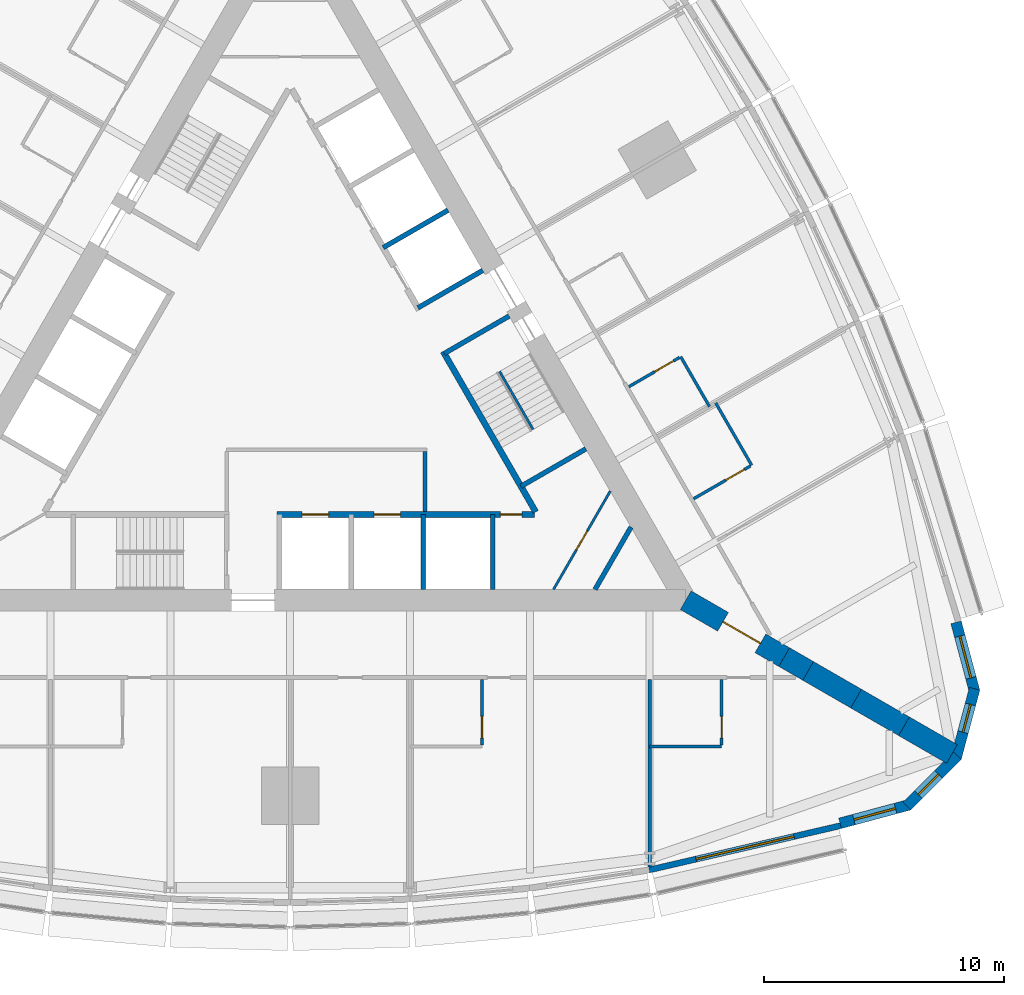
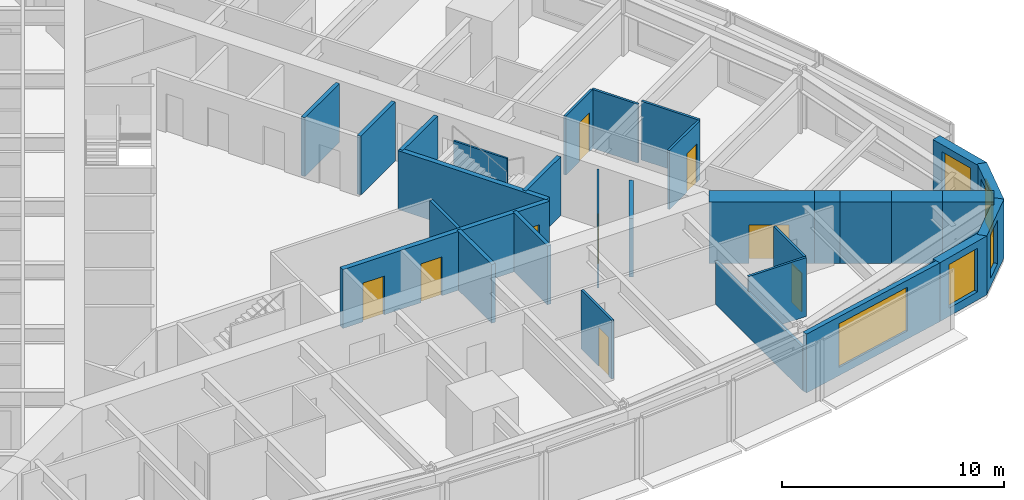
# One storey, part 10 of 14: 30 walls, 9 doors, 5 windows, 14 openings.
"""IFC4 building model written with IfcOpenShell, lengths in metres."""

from ifc_helpers import new_model, si_unit, direction, frame, frame_2d, origin, place, context, subcontext, project, spatial, polyline, rectangle, outline, extrude, material, layer, layer_set, type_object, element, fill, save


model = new_model("IFC4")

# Units and contexts
model_context = context("Model", 3, precision=1e-05, world=origin(), true_north=direction((0.0, 1.0)))
body_context = subcontext(model_context, "Body", "Model", "MODEL_VIEW")
ifc_project = project(units=[si_unit("LENGTHUNIT", "METRE"), si_unit("AREAUNIT", "SQUARE_METRE"), si_unit("VOLUMEUNIT", "CUBIC_METRE"), si_unit("PLANEANGLEUNIT", "RADIAN"), si_unit("MASSUNIT", "GRAM", prefix="KILO")], contexts=[model_context])

# Site, building, storey
site_placement = place(None, origin())
site = spatial("IfcSite", under=ifc_project, at=site_placement, CompositionType="ELEMENT")
building_placement = place(site_placement, origin())
building = spatial("IfcBuilding", under=site, at=building_placement, Name="Trikona Tower", CompositionType="ELEMENT")
storey_placement = place(building_placement, frame((0.0, 0.0, 52.300048828125)))
storey = spatial("IfcBuildingStorey", under=building, at=storey_placement, Name="L12", CompositionType="ELEMENT", Elevation=52.300048828125)

# Wall, opening, door
ifc_material_1 = material(Name="Metal stud and cement board", Category="gypsum")
ifc_layer_1 = layer(ifc_material_1, 0.1201171875)
ifc_layer_set_1 = layer_set([ifc_layer_1], Name="Bathroom wall 120")
wall_type_1 = type_object("IfcWallType", Name="Bathroom wall 120", PredefinedType="PLUMBINGWALL", material=ifc_layer_set_1)
wall_1_placement = place(storey_placement, frame((8.0, -12.826416015625, 0.0), z_axis=(0.0, 0.0, 1.0), x_axis=(0.0, -1.0, 0.0)))
wall_1 = element("IfcWall", 1, at=wall_1_placement, inside=storey, type_object=wall_type_1, Name="Bathroom wall 1203", PredefinedType="PLUMBINGWALL", context=body_context, shape_type="SweptSolid", body=[
    extrude(rectangle(XDim=2.739990234375, YDim=0.1201171875, at=frame_2d((1.3701171875, 0.0))), origin(), (0.0, 0.0, 1.0), 3.23486328125),
])
opening_1_placement = place(wall_1_placement, frame((1.550048828125, 0.0, 0.0)))
opening_1 = element("IfcOpeningElement", 2, at=opening_1_placement, cuts=wall_1, Name="Opening D2", PredefinedType="OPENING", context=body_context, shape_type="SweptSolid", body=[
    extrude(rectangle(XDim=0.89990234375, YDim=2.1298828125, at=frame_2d((0.449951171875, 1.06494140625))), frame((0.0, 0.070068359375, 0.0), z_axis=(0.0, -1.0, 0.0), x_axis=(1.0, 0.0, 0.0)), (0.0, 0.0, 1.0), 0.14013671875),
])
ifc_material_2 = material(Name="Steel door frame with solid-core timber leaf", Category="steel")
door_type_1 = type_object("IfcDoorType", Name="Bathroom door 900x2130", OperationType="SLIDING_TO_LEFT", PredefinedType="DOOR", material=ifc_material_2)
door_1_placement = place(opening_1_placement, origin())
door_1 = element("IfcDoor", 3, at=door_1_placement, inside=storey, type_object=door_type_1, Name="Bathroom door 1203", OperationType="SLIDING_TO_LEFT", OverallHeight=2.1298828125, OverallWidth=0.89990234375, PredefinedType="DOOR", context=body_context, shape_type="SweptSolid", body=[
    extrude(rectangle(XDim=0.89990234375, YDim=2.1298828125, at=frame_2d((0.449951171875, 1.06494140625))), frame((0.0, 0.02490234375, 0.0), z_axis=(0.0, -1.0, 0.0), x_axis=(1.0, 0.0, 0.0)), (0.0, 0.0, 1.0), 0.050048828125),
])
fill(opening_1, door_1)

# Wall
wall_2_placement = place(storey_placement, frame((15.0, -15.626220703125, 0.0), z_axis=(0.0, 0.0, 1.0), x_axis=(1.0, 0.0, 0.0)))
element("IfcWall", 4, at=wall_2_placement, inside=storey, type_object=wall_type_1, Name="Bathroom wall 1204", PredefinedType="PLUMBINGWALL", context=body_context, shape_type="SweptSolid", body=[
    extrude(rectangle(XDim=3.0, YDim=0.1201171875, at=frame_2d((1.5, 0.0))), origin(), (0.0, 0.0, 1.0), 3.23486328125),
])

# Wall, opening, door
wall_3_placement = place(storey_placement, frame((18.0, -12.826416015625, 0.0), z_axis=(0.0, 0.0, 1.0), x_axis=(0.0, -1.0, 0.0)))
wall_3 = element("IfcWall", 5, at=wall_3_placement, inside=storey, type_object=wall_type_1, Name="Bathroom wall 1204", PredefinedType="PLUMBINGWALL", context=body_context, shape_type="SweptSolid", body=[
    extrude(rectangle(XDim=2.739990234375, YDim=0.1201171875, at=frame_2d((1.3701171875, 0.0))), origin(), (0.0, 0.0, 1.0), 3.23486328125),
])
opening_2_placement = place(wall_3_placement, frame((1.550048828125, 0.0, 0.0)))
opening_2 = element("IfcOpeningElement", 6, at=opening_2_placement, cuts=wall_3, Name="Opening D2", PredefinedType="OPENING", context=body_context, shape_type="SweptSolid", body=[
    extrude(rectangle(XDim=0.89990234375, YDim=2.1298828125, at=frame_2d((0.449951171875, 1.06494140625))), frame((0.0, 0.070068359375, 0.0), z_axis=(0.0, -1.0, 0.0), x_axis=(1.0, 0.0, 0.0)), (0.0, 0.0, 1.0), 0.14013671875),
])
door_2_placement = place(opening_2_placement, origin())
door_2 = element("IfcDoor", 7, at=door_2_placement, inside=storey, type_object=door_type_1, Name="Bathroom door 1204", OperationType="SLIDING_TO_LEFT", OverallHeight=2.1298828125, OverallWidth=0.89990234375, PredefinedType="DOOR", context=body_context, shape_type="SweptSolid", body=[
    extrude(rectangle(XDim=0.89990234375, YDim=2.1298828125, at=frame_2d((0.449951171875, 1.06494140625))), frame((0.0, 0.02490234375, 0.0), z_axis=(0.0, -1.0, 0.0), x_axis=(1.0, 0.0, 0.0)), (0.0, 0.0, 1.0), 0.050048828125),
])
fill(opening_2, door_2)

# Wall
wall_4_placement = place(storey_placement, frame((19.25341796875, -3.895263671875, 0.0), z_axis=(0.0, 0.0, 1.0), x_axis=(-0.499990139034, 0.866031096941, 0.0)))
element("IfcWall", 8, at=wall_4_placement, inside=storey, type_object=wall_type_1, Name="Bathroom wall 1205.1", PredefinedType="PLUMBINGWALL", context=body_context, shape_type="SweptSolid", body=[
    extrude(rectangle(XDim=3.0, YDim=0.1201171875, at=frame_2d((1.5, 0.0))), origin(), (0.0, 0.0, 1.0), 3.23486328125),
])

# Wall, opening, door
wall_5_placement = place(storey_placement, frame((16.82861328125, -5.295166015625, 0.0), z_axis=(0.0, 0.0, 1.0), x_axis=(0.866035715982, 0.499982138324, 0.0)))
wall_5 = element("IfcWall", 9, at=wall_5_placement, inside=storey, type_object=wall_type_1, Name="Bathroom wall 1205.1", PredefinedType="PLUMBINGWALL", context=body_context, shape_type="SweptSolid", body=[
    extrude(rectangle(XDim=2.73974609375, YDim=0.1201171875, at=frame_2d((1.369873046875, 0.0))), origin(), (0.0, 0.0, 1.0), 3.23486328125),
])
opening_3_placement = place(wall_5_placement, frame((1.550048828125, 0.0, 0.0)))
opening_3 = element("IfcOpeningElement", 10, at=opening_3_placement, cuts=wall_5, Name="Opening D2", PredefinedType="OPENING", context=body_context, shape_type="SweptSolid", body=[
    extrude(rectangle(XDim=0.89990234375, YDim=2.1298828125, at=frame_2d((0.449951171875, 1.06494140625))), frame((0.0, 0.070068359375, 0.0), z_axis=(0.0, -1.0, 0.0), x_axis=(1.0, 0.0, 0.0)), (0.0, 0.0, 1.0), 0.14013671875),
])
door_3_placement = place(opening_3_placement, origin())
door_3 = element("IfcDoor", 11, at=door_3_placement, inside=storey, type_object=door_type_1, Name="Bathroom door 1205.1", OperationType="SLIDING_TO_LEFT", OverallHeight=2.1298828125, OverallWidth=0.89990234375, PredefinedType="DOOR", context=body_context, shape_type="SweptSolid", body=[
    extrude(rectangle(XDim=0.89990234375, YDim=2.1298828125, at=frame_2d((0.449951171875, 1.06494140625))), frame((0.0, 0.02490234375, 0.0), z_axis=(0.0, -1.0, 0.0), x_axis=(1.0, 0.0, 0.0)), (0.0, 0.0, 1.0), 0.050048828125),
])
fill(opening_3, door_3)

# Wall
wall_6_placement = place(storey_placement, frame((17.493408203125, -1.447021484375, 0.0), z_axis=(0.0, 0.0, 1.0), x_axis=(-0.500001309137, 0.866024647952, 0.0)))
element("IfcWall", 12, at=wall_6_placement, inside=storey, type_object=wall_type_1, Name="Bathroom wall 1206", PredefinedType="PLUMBINGWALL", context=body_context, shape_type="SweptSolid", body=[
    extrude(rectangle(XDim=2.39990234375, YDim=0.1201171875, at=frame_2d((1.199951171875, 0.0))), origin(), (0.0, 0.0, 1.0), 3.23486328125),
])

# Wall, opening, door
wall_7_placement = place(storey_placement, frame((14.12841796875, -0.61865234375, 0.0), z_axis=(0.0, 0.0, 1.0), x_axis=(0.866048967903, 0.499959183527, 0.0)))
wall_7 = element("IfcWall", 13, at=wall_7_placement, inside=storey, type_object=wall_type_1, Name="Bathroom wall 1206", PredefinedType="PLUMBINGWALL", context=body_context, shape_type="SweptSolid", body=[
    extrude(rectangle(XDim=2.440185546875, YDim=0.1201171875, at=frame_2d((1.22021484375, 0.0))), origin(), (0.0, 0.0, 1.0), 3.23486328125),
])
opening_4_placement = place(wall_7_placement, frame((1.25, 0.0, 0.0)))
opening_4 = element("IfcOpeningElement", 14, at=opening_4_placement, cuts=wall_7, Name="Opening D2", PredefinedType="OPENING", context=body_context, shape_type="SweptSolid", body=[
    extrude(rectangle(XDim=0.89990234375, YDim=2.1298828125, at=frame_2d((0.449951171875, 1.06494140625))), frame((0.0, 0.070068359375, 0.0), z_axis=(0.0, -1.0, 0.0), x_axis=(1.0, 0.0, 0.0)), (0.0, 0.0, 1.0), 0.14013671875),
])
door_4_placement = place(opening_4_placement, origin())
door_4 = element("IfcDoor", 15, at=door_4_placement, inside=storey, type_object=door_type_1, Name="Bathroom door 1206", OperationType="SLIDING_TO_LEFT", OverallHeight=2.1298828125, OverallWidth=0.89990234375, PredefinedType="DOOR", context=body_context, shape_type="SweptSolid", body=[
    extrude(rectangle(XDim=0.89990234375, YDim=2.1298828125, at=frame_2d((0.449951171875, 1.06494140625))), frame((0.0, 0.02490234375, 0.0), z_axis=(0.0, -1.0, 0.0), x_axis=(1.0, 0.0, 0.0)), (0.0, 0.0, 1.0), 0.050048828125),
])
fill(opening_4, door_4)

# Wall, opening, window
ifc_material_3 = material(Name="Brick-faced precast concrete", Category="masonry")
ifc_layer_2 = layer(ifc_material_3, 0.449951171875)
ifc_layer_set_2 = layer_set([ifc_layer_2], Name="Brick-faced corner wall 450")
wall_type_2 = type_object("IfcWallType", Name="Brick-faced corner wall 450", PredefinedType="SOLIDWALL", material=ifc_layer_set_2)
wall_8_placement = place(storey_placement, frame((22.94189453125, -18.835205078125, 0.0), z_axis=(0.0, 0.0, 1.0), x_axis=(0.965930548995, 0.258801419081, 0.0)))
wall_8 = element("IfcWall", 16, at=wall_8_placement, inside=storey, type_object=wall_type_2, Name="External wall L12-08", PredefinedType="SOLIDWALL", context=body_context, shape_type="SweptSolid", body=[
    extrude(rectangle(XDim=2.988525390625, YDim=0.449951171875, at=frame_2d((1.494140625, 0.0))), origin(), (0.0, 0.0, 1.0), 3.23486328125),
])
opening_5_placement = place(wall_8_placement, frame((0.59423828125, 0.0, 0.449951171875)))
opening_5 = element("IfcOpeningElement", 17, at=opening_5_placement, cuts=wall_8, Name="Opening W1824", PredefinedType="OPENING", context=body_context, shape_type="SweptSolid", body=[
    extrude(rectangle(XDim=1.800048828125, YDim=2.39990234375, at=frame_2d((0.89990234375, 1.199951171875))), frame((0.0, 0.23486328125, 0.0), z_axis=(0.0, -1.0, 0.0), x_axis=(1.0, 0.0, 0.0)), (0.0, 0.0, 1.0), 0.469970703125),
])
ifc_material_4 = material(Name="Aluminium-framed double glazing", Category="aluminium")
window_type_1 = type_object("IfcWindowType", Name="Window 1800x2400", PartitioningType="SINGLE_PANEL", PredefinedType="WINDOW", material=ifc_material_4)
window_1_placement = place(opening_5_placement, origin())
window_1 = element("IfcWindow", 18, at=window_1_placement, inside=storey, type_object=window_type_1, Name="Window 1204", OverallHeight=2.39990234375, OverallWidth=1.800048828125, PartitioningType="SINGLE_PANEL", PredefinedType="WINDOW", context=body_context, shape_type="SweptSolid", body=[
    extrude(rectangle(XDim=1.800048828125, YDim=2.39990234375, at=frame_2d((0.89990234375, 1.199951171875))), frame((0.0, 0.030029296875, 0.0), z_axis=(0.0, -1.0, 0.0), x_axis=(1.0, 0.0, 0.0)), (0.0, 0.0, 1.0), 0.06005859375),
])
fill(opening_5, window_1)

wall_9_placement = place(storey_placement, frame((25.727783203125, -18.1201171875, 0.0), z_axis=(0.0, 0.0, 1.0), x_axis=(0.707025086683, 0.707188466253, 0.0)))
wall_9 = element("IfcWall", 19, at=wall_9_placement, inside=storey, type_object=wall_type_2, Name="External wall L12-09", PredefinedType="SOLIDWALL", context=body_context, shape_type="SweptSolid", body=[
    extrude(outline(polyline([(2.988525390625, 0.22509765625), (2.929931640625, 0.22509765625), (2.4375, 0.093017578125), (2.402099609375, 0.22509765625), (0.0, 0.22509765625), (0.0, -0.22509765625), (2.988525390625, -0.22509765625), (2.988525390625, 0.22509765625)])), origin(), (0.0, 0.0, 1.0), 3.23486328125),
])
opening_6_placement = place(wall_9_placement, frame((0.676025390625, 0.0, 0.449951171875)))
opening_6 = element("IfcOpeningElement", 20, at=opening_6_placement, cuts=wall_9, Name="Opening W1224", PredefinedType="OPENING", context=body_context, shape_type="SweptSolid", body=[
    extrude(rectangle(XDim=1.199951171875, YDim=2.39990234375, at=frame_2d((0.60009765625, 1.199951171875))), frame((0.0, 0.23486328125, 0.0), z_axis=(0.0, -1.0, 0.0), x_axis=(1.0, 0.0, 0.0)), (0.0, 0.0, 1.0), 0.469970703125),
])
ifc_material_5 = material(Name="Aluminium-framed double glazing", Category="aluminium")
window_type_2 = type_object("IfcWindowType", Name="Window 1200x2400", PartitioningType="SINGLE_PANEL", PredefinedType="WINDOW", material=ifc_material_5)
window_2_placement = place(opening_6_placement, origin())
window_2 = element("IfcWindow", 21, at=window_2_placement, inside=storey, type_object=window_type_2, Name="Window 1204", OverallHeight=2.39990234375, OverallWidth=1.199951171875, PartitioningType="SINGLE_PANEL", PredefinedType="WINDOW", context=body_context, shape_type="SweptSolid", body=[
    extrude(rectangle(XDim=1.199951171875, YDim=2.39990234375, at=frame_2d((0.60009765625, 1.199951171875))), frame((0.0, 0.030029296875, 0.0), z_axis=(0.0, -1.0, 0.0), x_axis=(1.0, 0.0, 0.0)), (0.0, 0.0, 1.0), 0.06005859375),
])
fill(opening_6, window_2)

wall_10_placement = place(storey_placement, frame((27.78271484375, -16.107666015625, 0.0), z_axis=(0.0, 0.0, 1.0), x_axis=(0.258801419081, 0.965930548995, 0.0)))
wall_10 = element("IfcWall", 22, at=wall_10_placement, inside=storey, type_object=wall_type_2, Name="External wall L12-10", PredefinedType="SOLIDWALL", context=body_context, shape_type="SweptSolid", body=[
    extrude(outline(polyline([(2.988525390625, 0.22509765625), (0.58642578125, 0.22509765625), (0.55126953125, 0.09326171875), (0.0595703125, 0.22509765625), (0.0, 0.22509765625), (0.0, -0.22509765625), (2.988525390625, -0.22509765625), (2.988525390625, 0.22509765625)])), origin(), (0.0, 0.0, 1.0), 3.23486328125),
])
opening_7_placement = place(wall_10_placement, frame((1.112548828125, 0.0, 0.449951171875)))
opening_7 = element("IfcOpeningElement", 23, at=opening_7_placement, cuts=wall_10, Name="Opening W1224", PredefinedType="OPENING", context=body_context, shape_type="SweptSolid", body=[
    extrude(rectangle(XDim=1.199951171875, YDim=2.39990234375, at=frame_2d((0.60009765625, 1.199951171875))), frame((0.0, 0.23486328125, 0.0), z_axis=(0.0, -1.0, 0.0), x_axis=(1.0, 0.0, 0.0)), (0.0, 0.0, 1.0), 0.469970703125),
])
window_3_placement = place(opening_7_placement, origin())
window_3 = element("IfcWindow", 24, at=window_3_placement, inside=storey, type_object=window_type_2, Name="Window 1205", OverallHeight=2.39990234375, OverallWidth=1.199951171875, PartitioningType="SINGLE_PANEL", PredefinedType="WINDOW", context=body_context, shape_type="SweptSolid", body=[
    extrude(rectangle(XDim=1.199951171875, YDim=2.39990234375, at=frame_2d((0.60009765625, 1.199951171875))), frame((0.0, 0.030029296875, 0.0), z_axis=(0.0, -1.0, 0.0), x_axis=(1.0, 0.0, 0.0)), (0.0, 0.0, 1.0), 0.06005859375),
])
fill(opening_7, window_3)

wall_11_placement = place(storey_placement, frame((28.55615234375, -13.33740234375, 0.0), z_axis=(0.0, 0.0, 1.0), x_axis=(-0.258780998834, 0.965936019953, 0.0)))
wall_11 = element("IfcWall", 25, at=wall_11_placement, inside=storey, type_object=wall_type_2, Name="External wall L12-11", PredefinedType="SOLIDWALL", context=body_context, shape_type="SweptSolid", body=[
    extrude(rectangle(XDim=2.98876953125, YDim=0.449951171875, at=frame_2d((1.494384765625, 0.0))), origin(), (0.0, 0.0, 1.0), 3.23486328125),
])
opening_8_placement = place(wall_11_placement, frame((0.59423828125, 0.0, 0.449951171875)))
opening_8 = element("IfcOpeningElement", 26, at=opening_8_placement, cuts=wall_11, Name="Opening W1824", PredefinedType="OPENING", context=body_context, shape_type="SweptSolid", body=[
    extrude(rectangle(XDim=1.800048828125, YDim=2.39990234375, at=frame_2d((0.89990234375, 1.199951171875))), frame((0.0, 0.23486328125, 0.0), z_axis=(0.0, -1.0, 0.0), x_axis=(1.0, 0.0, 0.0)), (0.0, 0.0, 1.0), 0.469970703125),
])
window_4_placement = place(opening_8_placement, origin())
window_4 = element("IfcWindow", 27, at=window_4_placement, inside=storey, type_object=window_type_1, Name="Window 1205", OverallHeight=2.39990234375, OverallWidth=1.800048828125, PartitioningType="SINGLE_PANEL", PredefinedType="WINDOW", context=body_context, shape_type="SweptSolid", body=[
    extrude(rectangle(XDim=1.800048828125, YDim=2.39990234375, at=frame_2d((0.89990234375, 1.199951171875))), frame((0.0, 0.030029296875, 0.0), z_axis=(0.0, -1.0, 0.0), x_axis=(1.0, 0.0, 0.0)), (0.0, 0.0, 1.0), 0.06005859375),
])
fill(opening_8, window_4)

# Wall, opening, door
ifc_material_6 = material(Name="Concrete f'c 10000 psi", Category="concrete")
ifc_layer_3 = layer(ifc_material_6, 0.89990234375)
ifc_layer_set_3 = layer_set([ifc_layer_3], Name="Buttress wall 900")
wall_type_3 = type_object("IfcWallType", Name="Buttress wall 900", PredefinedType="SHEAR", material=ifc_layer_set_3)
wall_12_placement = place(storey_placement, frame((16.5, -9.5263671875, 0.0), z_axis=(0.0, 0.0, 1.0), x_axis=(0.866031398331, -0.499989616998, 0.0)))
wall_12 = element("IfcWall", 28, at=wall_12_placement, inside=storey, type_object=wall_type_3, Name="Buttress wall 1", PredefinedType="SHEAR", context=body_context, shape_type="SweptSolid", body=[
    extrude(rectangle(XDim=4.74609375, YDim=0.89990234375, at=frame_2d((2.373046875, 0.0))), origin(), (0.0, 0.0, 1.0), 3.39990234375),
])
opening_9_placement = place(wall_12_placement, frame((1.800048828125, 0.0, 0.0)))
opening_9 = element("IfcOpeningElement", 29, at=opening_9_placement, cuts=wall_12, Name="Opening D10", PredefinedType="OPENING", context=body_context, shape_type="SweptSolid", body=[
    extrude(rectangle(XDim=1.800048828125, YDim=2.1298828125, at=frame_2d((0.89990234375, 1.06494140625))), frame((0.0, 0.4599609375, 0.0), z_axis=(0.0, -1.0, 0.0), x_axis=(1.0, 0.0, 0.0)), (0.0, 0.0, 1.0), 0.919921875),
])
ifc_material_7 = material(Name="Hollow metal door and frame", Category="steel")
door_type_2 = type_object("IfcDoorType", Name="Cross-corridor door pair 1800x2130", OperationType="DOUBLE_DOOR_DOUBLE_SWING", PredefinedType="DOOR", material=ifc_material_7)
door_5_placement = place(opening_9_placement, origin())
door_5 = element("IfcDoor", 30, at=door_5_placement, inside=storey, type_object=door_type_2, Name="Cross-corridor door 1", OperationType="DOUBLE_DOOR_DOUBLE_SWING", OverallHeight=2.1298828125, OverallWidth=1.800048828125, PredefinedType="DOOR", context=body_context, shape_type="SweptSolid", body=[
    extrude(rectangle(XDim=1.800048828125, YDim=2.1298828125, at=frame_2d((0.89990234375, 1.06494140625))), frame((0.0, 0.02490234375, 0.0), z_axis=(0.0, -1.0, 0.0), x_axis=(1.0, 0.0, 0.0)), (0.0, 0.0, 1.0), 0.050048828125),
])
fill(opening_9, door_5)

# Walls
wall_13_placement = place(storey_placement, frame((20.6103515625, -11.8994140625, 0.0), z_axis=(0.0, 0.0, 1.0), x_axis=(0.866009537788, -0.500027479704, 0.0)))
element("IfcWall", 31, at=wall_13_placement, inside=storey, type_object=wall_type_3, Name="Buttress wall 1 part 2", PredefinedType="SHEAR", context=body_context, shape_type="SweptSolid", body=[
    extrude(rectangle(XDim=1.15478515625, YDim=0.89990234375, at=frame_2d((0.577392578125, 0.0))), origin(), (0.0, 0.0, 1.0), 3.39990234375),
])
for number, where, z_axis, x_axis, name in (
    (32, (21.6103515625, -12.476806640625, 0.0), (0.0, 0.0, 1.0), (0.866055313784, -0.499948190782, 0.0), "Buttress wall 1 part 3"),
    (33, (23.6103515625, -13.63134765625, 0.0), (0.0, 0.0, 1.0), (0.866009537788, -0.500027479704, 0.0), "Buttress wall 1 part 4"),
    (34, (25.6103515625, -14.7861328125, 0.0), (0.0, 0.0, 1.0), (0.866009537788, -0.500027479704, 0.0), "Buttress wall 1 part 5"),
):
    element("IfcWall", number, at=place(storey_placement, frame(where, z_axis=z_axis, x_axis=x_axis)), inside=storey, type_object=wall_type_3, Name=name, PredefinedType="SHEAR", context=body_context, shape_type="SweptSolid", body=[
        extrude(rectangle(XDim=2.309326171875, YDim=0.89990234375, at=frame_2d((1.15478515625, 0.0))), origin(), (0.0, 0.0, 1.0), 3.39990234375),
    ])

# Wall, openings, doors
ifc_material_8 = material(Name="Concrete f'c 8000 psi", Category="concrete")
ifc_layer_4 = layer(ifc_material_8, 0.25)
ifc_layer_set_4 = layer_set([ifc_layer_4], Name="Hub wall 250")
wall_type_4 = type_object("IfcWallType", Name="Hub wall 250", PredefinedType="SOLIDWALL", material=ifc_layer_set_4)
wall_14_placement = place(storey_placement, frame((-0.550048828125, -5.951416015625, 0.0), z_axis=(0.0, 0.0, 1.0), x_axis=(1.0, 0.0, 0.0)))
wall_14 = element("IfcWall", 35, at=wall_14_placement, inside=storey, type_object=wall_type_4, Name="Lift lobby wall A2", PredefinedType="SOLIDWALL", context=body_context, shape_type="SweptSolid", body=[
    extrude(rectangle(XDim=10.73291015625, YDim=0.25, at=frame_2d((5.366455078125, 0.0))), origin(), (0.0, 0.0, 1.0), 3.23486328125),
])
opening_10_placement = place(wall_14_placement, frame((9.31396484375, 0.0, 0.0)))
opening_10 = element("IfcOpeningElement", 36, at=opening_10_placement, cuts=wall_14, Name="Opening D14", PredefinedType="OPENING", context=body_context, shape_type="SweptSolid", body=[
    extrude(rectangle(XDim=0.89990234375, YDim=2.1298828125, at=frame_2d((0.449951171875, 1.06494140625))), frame((0.0, 0.135009765625, 0.0), z_axis=(0.0, -1.0, 0.0), x_axis=(1.0, 0.0, 0.0)), (0.0, 0.0, 1.0), 0.27001953125),
])
opening_11_placement = place(wall_14_placement, frame((1.050048828125, 0.0, 0.0)))
opening_11 = element("IfcOpeningElement", 37, at=opening_11_placement, cuts=wall_14, Name="Opening LD", PredefinedType="OPENING", context=body_context, shape_type="SweptSolid", body=[
    extrude(rectangle(XDim=1.10009765625, YDim=2.1298828125, at=frame_2d((0.550048828125, 1.06494140625))), frame((0.0, 0.135009765625, 0.0), z_axis=(0.0, -1.0, 0.0), x_axis=(1.0, 0.0, 0.0)), (0.0, 0.0, 1.0), 0.27001953125),
])
opening_12_placement = place(wall_14_placement, frame((4.050048828125, 0.0, 0.0)))
opening_12 = element("IfcOpeningElement", 38, at=opening_12_placement, cuts=wall_14, Name="Opening LD", PredefinedType="OPENING", context=body_context, shape_type="SweptSolid", body=[
    extrude(rectangle(XDim=1.10009765625, YDim=2.1298828125, at=frame_2d((0.550048828125, 1.06494140625))), frame((0.0, 0.135009765625, 0.0), z_axis=(0.0, -1.0, 0.0), x_axis=(1.0, 0.0, 0.0)), (0.0, 0.0, 1.0), 0.27001953125),
])
ifc_material_9 = material(Name="Stainless steel lift landing door", Category="steel")
door_type_3 = type_object("IfcDoorType", Name="Lift landing door 1100x2130", OperationType="DOUBLE_DOOR_SLIDING", PredefinedType="USERDEFINED", material=ifc_material_9)
door_6_placement = place(opening_11_placement, origin())
door_6 = element("IfcDoor", 39, at=door_6_placement, inside=storey, type_object=door_type_3, Name="Lift landing door FF1", ObjectType="LIFT LANDING DOOR", OperationType="DOUBLE_DOOR_SLIDING", OverallHeight=2.1298828125, OverallWidth=1.10009765625, PredefinedType="USERDEFINED", context=body_context, shape_type="SweptSolid", body=[
    extrude(rectangle(XDim=1.10009765625, YDim=2.1298828125, at=frame_2d((0.550048828125, 1.06494140625))), frame((0.0, 0.02490234375, 0.0), z_axis=(0.0, -1.0, 0.0), x_axis=(1.0, 0.0, 0.0)), (0.0, 0.0, 1.0), 0.050048828125),
])
fill(opening_11, door_6)
door_7_placement = place(opening_12_placement, origin())
door_7 = element("IfcDoor", 40, at=door_7_placement, inside=storey, type_object=door_type_3, Name="Lift landing door FF2", ObjectType="LIFT LANDING DOOR", OperationType="DOUBLE_DOOR_SLIDING", OverallHeight=2.1298828125, OverallWidth=1.10009765625, PredefinedType="USERDEFINED", context=body_context, shape_type="SweptSolid", body=[
    extrude(rectangle(XDim=1.10009765625, YDim=2.1298828125, at=frame_2d((0.550048828125, 1.06494140625))), frame((0.0, 0.02490234375, 0.0), z_axis=(0.0, -1.0, 0.0), x_axis=(1.0, 0.0, 0.0)), (0.0, 0.0, 1.0), 0.050048828125),
])
fill(opening_12, door_7)
ifc_material_10 = material(Name="Hollow metal door and frame", Category="steel")
door_type_4 = type_object("IfcDoorType", Name="Service room door 900x2130", OperationType="SINGLE_SWING_LEFT", PredefinedType="DOOR", material=ifc_material_10)
door_8_placement = place(opening_10_placement, origin())
door_8 = element("IfcDoor", 41, at=door_8_placement, inside=storey, type_object=door_type_4, Name="Door Ice and vending ICE", OperationType="SINGLE_SWING_RIGHT", OverallHeight=2.1298828125, OverallWidth=0.89990234375, PredefinedType="DOOR", context=body_context, shape_type="SweptSolid", body=[
    extrude(rectangle(XDim=0.89990234375, YDim=2.1298828125, at=frame_2d((0.449951171875, 1.06494140625))), frame((0.0, 0.02490234375, 0.0), z_axis=(0.0, -1.0, 0.0), x_axis=(1.0, 0.0, 0.0)), (0.0, 0.0, 1.0), 0.050048828125),
])
fill(opening_10, door_8)

# Wall
wall_15_placement = place(storey_placement, frame((10.245361328125, -5.843017578125, 0.0), z_axis=(0.0, 0.0, 1.0), x_axis=(-0.499993009313, 0.866029439822, 0.0)))
element("IfcWall", 42, at=wall_15_placement, inside=storey, type_object=wall_type_4, Name="Lift lobby wall B1", PredefinedType="SOLIDWALL", context=body_context, shape_type="SweptSolid", body=[
    extrude(rectangle(XDim=7.73291015625, YDim=0.25, at=frame_2d((3.866455078125, 0.0))), origin(), (0.0, 0.0, 1.0), 3.23486328125),
])

# Wall, opening, window
ifc_material_11 = material(Name="Insulated precast concrete spandrel panel", Category="concrete")
ifc_layer_5 = layer(ifc_material_11, 0.25)
ifc_layer_set_5 = layer_set([ifc_layer_5], Name="Inner skin wall 250")
wall_type_5 = type_object("IfcWallType", Name="Inner skin wall 250", PredefinedType="STANDARD", material=ifc_layer_set_5)
wall_16_placement = place(storey_placement, frame((14.9716796875, -20.78125, 0.0), z_axis=(0.0, 0.0, 1.0), x_axis=(0.974279327392, 0.225343720163, 0.0)))
wall_16 = element("IfcWall", 43, at=wall_16_placement, inside=storey, type_object=wall_type_5, Name="External wall L12-07", PredefinedType="STANDARD", context=body_context, shape_type="SweptSolid", body=[
    extrude(rectangle(XDim=8.211181640625, YDim=0.25, at=frame_2d((4.10546875, 0.0))), origin(), (0.0, 0.0, 1.0), 3.23486328125),
])
opening_13_placement = place(wall_16_placement, frame((2.005615234375, 0.0, 0.449951171875)))
opening_13 = element("IfcOpeningElement", 44, at=opening_13_placement, cuts=wall_16, Name="Opening W4224", PredefinedType="OPENING", context=body_context, shape_type="SweptSolid", body=[
    extrude(rectangle(XDim=4.199951171875, YDim=2.39990234375, at=frame_2d((2.10009765625, 1.199951171875))), frame((0.0, 0.135009765625, 0.0), z_axis=(0.0, -1.0, 0.0), x_axis=(1.0, 0.0, 0.0)), (0.0, 0.0, 1.0), 0.27001953125),
])
ifc_material_12 = material(Name="Aluminium-framed double glazing", Category="aluminium")
window_type_3 = type_object("IfcWindowType", Name="Window 4200x2400", PartitioningType="SINGLE_PANEL", PredefinedType="WINDOW", material=ifc_material_12)
window_5_placement = place(opening_13_placement, origin())
window_5 = element("IfcWindow", 45, at=window_5_placement, inside=storey, type_object=window_type_3, Name="Window 1204", OverallHeight=2.39990234375, OverallWidth=4.199951171875, PartitioningType="SINGLE_PANEL", PredefinedType="WINDOW", context=body_context, shape_type="SweptSolid", body=[
    extrude(rectangle(XDim=4.199951171875, YDim=2.39990234375, at=frame_2d((2.10009765625, 1.199951171875))), frame((0.0, 0.030029296875, 0.0), z_axis=(0.0, -1.0, 0.0), x_axis=(1.0, 0.0, 0.0)), (0.0, 0.0, 1.0), 0.06005859375),
])
fill(opening_13, window_5)

# Walls
ifc_material_13 = material(Name="Metal stud and gypsum board, 2-hour shaft wall", Category="gypsum")
ifc_layer_6 = layer(ifc_material_13, 0.14990234375)
ifc_layer_set_6 = layer_set([ifc_layer_6], Name="Lobby wall 150")
wall_type_6 = type_object("IfcWallType", Name="Lobby wall 150", PredefinedType="PARTITIONING", material=ifc_layer_set_6)
wall_17_placement = place(storey_placement, frame((5.625, -5.826416015625, 0.0), z_axis=(0.0, 0.0, 1.0), x_axis=(0.0, 1.0, 0.0)))
element("IfcWall", 46, at=wall_17_placement, inside=storey, type_object=wall_type_6, Name="Fire service lift lobby wall 3", PredefinedType="PARTITIONING", context=body_context, shape_type="SweptSolid", body=[
    extrude(rectangle(XDim=2.5, YDim=0.14990234375, at=frame_2d((1.25, 0.0))), origin(), (0.0, 0.0, 1.0), 3.23486328125),
])
ifc_material_14 = material(Name="Metal stud and gypsum board, 1-hour acoustic", Category="gypsum")
ifc_layer_7 = layer(ifc_material_14, 0.14990234375)
ifc_layer_set_7 = layer_set([ifc_layer_7], Name="Party wall 150")
wall_type_7 = type_object("IfcWallType", Name="Party wall 150", PredefinedType="PARTITIONING", material=ifc_layer_set_7)
wall_18_placement = place(storey_placement, frame((15.0, -12.826416015625, 0.0), z_axis=(0.0, 0.0, 1.0), x_axis=(0.0, -1.0, 0.0)))
element("IfcWall", 47, at=wall_18_placement, inside=storey, type_object=wall_type_7, Name="Partition L12 F1 u15", PredefinedType="PARTITIONING", context=body_context, shape_type="SweptSolid", body=[
    extrude(rectangle(XDim=7.820068359375, YDim=0.14990234375, at=frame_2d((3.91015625, 0.0))), origin(), (0.0, 0.0, 1.0), 2.38916015625),
])
ifc_material_15 = material(Name="Concrete f'c 8000 psi", Category="concrete")
ifc_layer_8 = layer(ifc_material_15, 0.199951171875)
ifc_layer_set_8 = layer_set([ifc_layer_8], Name="Shaft wall 200")
wall_type_8 = type_object("IfcWallType", Name="Shaft wall 200", PredefinedType="SOLIDWALL", material=ifc_layer_set_8)
for number, where, z_axis, x_axis, name in (
    (48, (5.550048828125, -5.951416015625, 0.0), (0.0, 0.0, 1.0), (0.0, -1.0, 0.0), "Shaft wall A5"),
    (49, (8.449951171875, -5.951416015625, 0.0), (0.0, 0.0, 1.0), (0.0, -1.0, 0.0), "Shaft wall A6"),
    (50, (5.3291015625, 2.672607421875, 0.0), (0.0, 0.0, 1.0), (0.866022959057, 0.500004234368, 0.0), "Shaft wall B3"),
    (51, (3.87890625, 5.18408203125, 0.0), (0.0, 0.0, 1.0), (0.866022959057, 0.500004234368, 0.0), "Shaft wall B4"),
):
    element("IfcWall", number, at=place(storey_placement, frame(where, z_axis=z_axis, x_axis=x_axis)), inside=storey, type_object=wall_type_8, Name=name, PredefinedType="SOLIDWALL", context=body_context, shape_type="SweptSolid", body=[
        extrude(rectangle(XDim=3.125, YDim=0.199951171875, at=frame_2d((1.5625, 0.0))), origin(), (0.0, 0.0, 1.0), 3.23486328125),
    ])
wall_19_placement = place(storey_placement, frame((14.219482421875, -6.476318359375, 0.0), z_axis=(0.0, 0.0, 1.0), x_axis=(-0.499952404951, -0.866052881055, 0.0)))
element("IfcWall", 52, at=wall_19_placement, inside=storey, type_object=wall_type_8, Name="Riser wall L12-RS1", PredefinedType="SOLIDWALL", context=body_context, shape_type="SweptSolid", body=[
    extrude(rectangle(XDim=3.002197265625, YDim=0.199951171875, at=frame_2d((1.5009765625, 0.0))), origin(), (0.0, 0.0, 1.0), 3.23486328125),
])
ifc_material_16 = material(Name="Concrete f'c 8000 psi", Category="concrete")
ifc_layer_9 = layer(ifc_material_16, 0.199951171875)
ifc_layer_set_9 = layer_set([ifc_layer_9], Name="Shaft wall 200 load-bearing")
wall_type_9 = type_object("IfcWallType", Name="Shaft wall 200 load-bearing", PredefinedType="SOLIDWALL", material=ifc_layer_set_9)
for number, where, z_axis, x_axis, name in (
    (53, (9.62890625, -4.775390625, 0.0), (0.0, 0.0, 1.0), (0.866022959057, 0.500004234368, 0.0), "Shaft wall B1"),
    (54, (6.428955078125, 0.767333984375, 0.0), (0.0, 0.0, 1.0), (0.866022959057, 0.500004234368, 0.0), "Shaft wall B2"),
):
    element("IfcWall", number, at=place(storey_placement, frame(where, z_axis=z_axis, x_axis=x_axis)), inside=storey, type_object=wall_type_9, Name=name, PredefinedType="SOLIDWALL", context=body_context, shape_type="SweptSolid", body=[
        extrude(rectangle(XDim=3.125, YDim=0.199951171875, at=frame_2d((1.5625, 0.0))), origin(), (0.0, 0.0, 1.0), 3.23486328125),
    ])
ifc_material_17 = material(Name="Concrete f'c 5000 psi", Category="concrete")
ifc_layer_10 = layer(ifc_material_17, 0.10009765625)
ifc_layer_set_10 = layer_set([ifc_layer_10], Name="Stair spine wall 100")
wall_type_10 = type_object("IfcWallType", Name="Stair spine wall 100", PredefinedType="SOLIDWALL", material=ifc_layer_set_10)
wall_20_placement = place(storey_placement, frame((10.134765625, -2.4013671875, 0.0), z_axis=(0.0, 0.0, 1.0), x_axis=(-0.499992232847, 0.866029888106, 0.0)))
element("IfcWall", 55, at=wall_20_placement, inside=storey, type_object=wall_type_10, Name="Stair B spine wall L12", PredefinedType="SOLIDWALL", context=body_context, shape_type="SweptSolid", body=[
    extrude(rectangle(XDim=2.7939453125, YDim=0.10009765625, at=frame_2d((1.39697265625, 0.0))), origin(), (0.0, 0.0, 1.0), 3.39990234375),
])

# Wall, opening, door
ifc_material_18 = material(Name="Metal stud and gypsum board, acoustic", Category="gypsum")
ifc_layer_11 = layer(ifc_material_18, 0.10009765625)
ifc_layer_set_11 = layer_set([ifc_layer_11], Name="Suite partition 100")
wall_type_11 = type_object("IfcWallType", Name="Suite partition 100", PredefinedType="PARTITIONING", material=ifc_layer_set_11)
wall_21_placement = place(storey_placement, frame((13.353515625, -4.976318359375, 0.0), z_axis=(0.0, 0.0, 1.0), x_axis=(-0.499999210213, -0.866025859768, 0.0)))
wall_21 = element("IfcWall", 56, at=wall_21_placement, inside=storey, type_object=wall_type_11, Name="Store partition L12-RS1", PredefinedType="PARTITIONING", context=body_context, shape_type="SweptSolid", body=[
    extrude(rectangle(XDim=4.734375, YDim=0.10009765625, at=frame_2d((2.3671875, 0.0))), origin(), (0.0, 0.0, 1.0), 3.23486328125),
])
opening_14_placement = place(wall_21_placement, frame((1.917236328125, 0.0, 0.0)))
opening_14 = element("IfcOpeningElement", 57, at=opening_14_placement, cuts=wall_21, Name="Opening D15", PredefinedType="OPENING", context=body_context, shape_type="SweptSolid", body=[
    extrude(rectangle(XDim=0.89990234375, YDim=2.1298828125, at=frame_2d((0.449951171875, 1.06494140625))), frame((0.0, 0.06005859375, 0.0), z_axis=(0.0, -1.0, 0.0), x_axis=(1.0, 0.0, 0.0)), (0.0, 0.0, 1.0), 0.1201171875),
])
ifc_material_19 = material(Name="Steel door frame with solid-core timber leaf", Category="steel")
door_type_5 = type_object("IfcDoorType", Name="Store door 900x2130", OperationType="SINGLE_SWING_LEFT", PredefinedType="DOOR", material=ifc_material_19)
door_9_placement = place(opening_14_placement, origin())
door_9 = element("IfcDoor", 58, at=door_9_placement, inside=storey, type_object=door_type_5, Name="Door Amenity store AMS", OperationType="SINGLE_SWING_RIGHT", OverallHeight=2.1298828125, OverallWidth=0.89990234375, PredefinedType="DOOR", context=body_context, shape_type="SweptSolid", body=[
    extrude(rectangle(XDim=0.89990234375, YDim=2.1298828125, at=frame_2d((0.449951171875, 1.06494140625))), frame((0.0, 0.02490234375, 0.0), z_axis=(0.0, -1.0, 0.0), x_axis=(1.0, 0.0, 0.0)), (0.0, 0.0, 1.0), 0.050048828125),
])
fill(opening_14, door_9)

save(model, "model.ifc")
